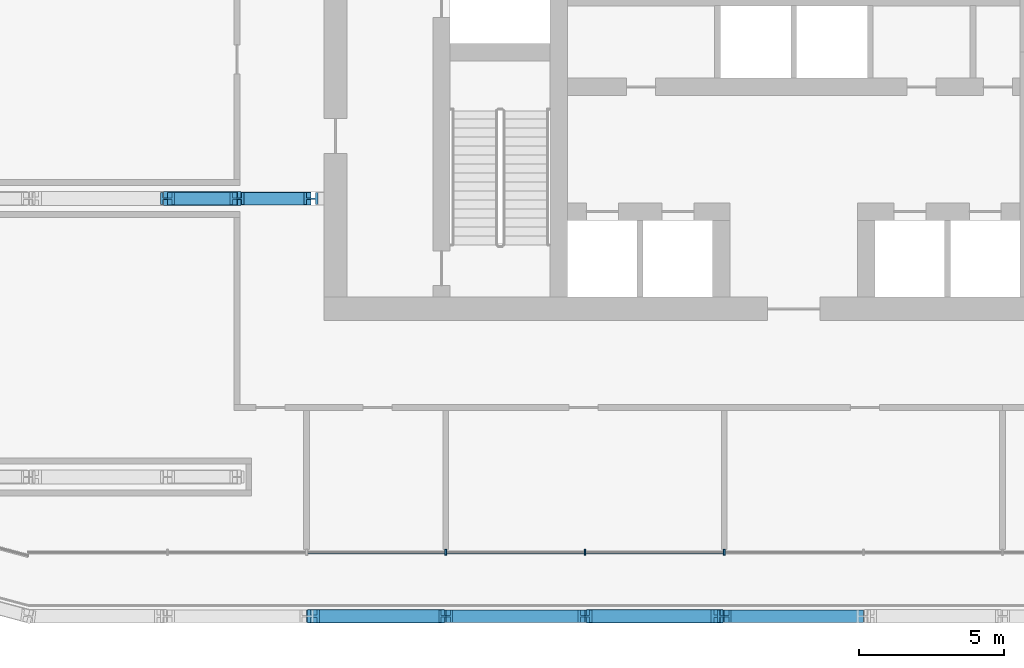
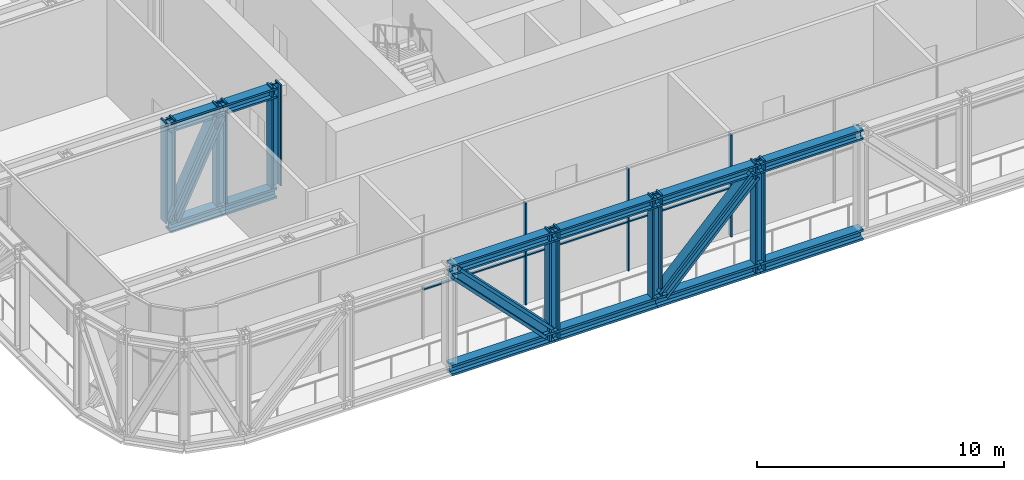
# One storey, part 2 of 25: 27 members, 1 element without a shape of its own.
"""IFC4 building model written with IfcOpenShell, lengths in metres."""

from ifc_helpers import new_model, si_unit, direction, frame, origin, origin_2d, place, context, subcontext, project, spatial, rectangle, i_section, extrude, material, layer, layer_set, material_profile, profile_set, type_object, element, aggregate, save


model = new_model("IFC4")

# Units and contexts
model_context = context("Model", 3, precision=1e-05, world=origin(), true_north=direction((0.0, 1.0)))
body_context = subcontext(model_context, "Body", "Model", "MODEL_VIEW")
ifc_project = project(units=[si_unit("LENGTHUNIT", "METRE"), si_unit("AREAUNIT", "SQUARE_METRE"), si_unit("VOLUMEUNIT", "CUBIC_METRE"), si_unit("PLANEANGLEUNIT", "RADIAN"), si_unit("MASSUNIT", "GRAM", prefix="KILO")], contexts=[model_context])

# Site, building, storey
site_placement = place(None, origin())
site = spatial("IfcSite", under=ifc_project, at=site_placement, CompositionType="ELEMENT")
building_placement = place(site_placement, origin())
building = spatial("IfcBuilding", under=site, at=building_placement, Name="Madar Terraces", CompositionType="ELEMENT")
storey_placement = place(building_placement, frame((0.0, 0.0, 113.699951171875)))
storey = spatial("IfcBuildingStorey", under=building, at=storey_placement, Name="L29", CompositionType="ELEMENT", Elevation=113.699951171875)

# Members
ifc_material_1 = material(Name="Steel ASTM A913 Grade 65", Category="steel")
ifc_material_profile_1 = material_profile(ifc_material_1, i_section(OverallWidth=0.44189453125, OverallDepth=0.53076171875, WebThickness=0.06591796875, FlangeThickness=0.105712890625, at=origin_2d()), Name="W14x605")
ifc_profile_set_1 = profile_set([ifc_material_profile_1], Name="Steel ASTM A913 Grade 65")
member_type_1 = type_object("IfcMemberType", Name="BC4 W14x605", PredefinedType="CHORD", material=ifc_profile_set_1)
for number, where, z_axis, x_axis, name in (
    (1, (14.39990234375, 4.800048828125, -0.154541015625), (1.0, 0.0, 0.0), (0.0, 1.0, 0.0), "Exoskeleton truss ring bottom chord BC4"),
    (2, (19.199951171875, 4.800048828125, -0.154541015625), (1.0, 0.0, 0.0), (0.0, 1.0, 0.0), "Exoskeleton truss ring bottom chord BC4"),
    (3, (24.0, 4.800048828125, -0.154541015625), (1.0, 0.0, 0.0), (0.0, 1.0, 0.0), "Exoskeleton truss ring bottom chord BC4"),
    (4, (28.800048828125, 4.800048828125, -0.154541015625), (1.0, 0.0, 0.0), (0.0, 1.0, 0.0), "Exoskeleton truss ring bottom chord BC4"),
):
    element("IfcMember", number, at=place(storey_placement, frame(where, z_axis=z_axis, x_axis=x_axis)), inside=storey, type_object=member_type_1, Name=name, PredefinedType="CHORD", context=body_context, shape_type="SweptSolid", body=[
        extrude(i_section(OverallWidth=0.44189453125, OverallDepth=0.53076171875, WebThickness=0.06591796875, FlangeThickness=0.105712890625, at=origin_2d()), origin(), (0.0, 0.0, 1.0), 4.800048828125),
    ])
member_1_placement = place(storey_placement, frame((9.60009765625, 19.199951171875, -0.154541015625), z_axis=(1.0, 0.0, 0.0), x_axis=(0.0, 1.0, 0.0)))
element("IfcMember", 5, at=member_1_placement, inside=storey, type_object=member_type_1, Name="Exoskeleton truss cross W19.2 bottom chord BC4", PredefinedType="CHORD", context=body_context, shape_type="SweptSolid", body=[
    extrude(i_section(OverallWidth=0.44189453125, OverallDepth=0.53076171875, WebThickness=0.06591796875, FlangeThickness=0.105712890625, at=origin_2d()), origin(), (0.0, 0.0, 1.0), 2.39990234375),
])
member_2_placement = place(storey_placement, frame((12.0, 19.199951171875, -0.154541015625), z_axis=(1.0, 0.0, 0.0), x_axis=(0.0, 1.0, 0.0)))
element("IfcMember", 6, at=member_2_placement, inside=storey, type_object=member_type_1, Name="Exoskeleton truss cross W19.2 bottom chord BC4", PredefinedType="CHORD", context=body_context, shape_type="SweptSolid", body=[
    extrude(i_section(OverallWidth=0.44189453125, OverallDepth=0.53076171875, WebThickness=0.06591796875, FlangeThickness=0.105712890625, at=origin_2d()), origin(), (0.0, 0.0, 1.0), 2.550048828125),
])

# Curtain wall, members
ifc_material_2 = material(Name="Glass, ceramic frit dark grey, with black aluminium frame", Category="aluminium")
ifc_layer = layer(ifc_material_2, 0.199951171875)
ifc_layer_set = layer_set([ifc_layer], Name="Facade curtain wall, tall glazing")
curtain_wall_type = type_object("IfcCurtainWallType", Name="Facade curtain wall, tall glazing", PredefinedType="NOTDEFINED", material=ifc_layer_set)
curtain_wall_placement = place(storey_placement, origin())
curtain_wall = element("IfcCurtainWall", 7, at=curtain_wall_placement, inside=storey, type_object=curtain_wall_type, Name="Outer skin curtain wall south bay 1", PredefinedType="NOTDEFINED")
ifc_material_3 = material(Name="Aluminium, black anodised", Category="aluminium")
ifc_material_profile_2 = material_profile(ifc_material_3, rectangle(XDim=0.199951171875, YDim=0.06005859375, at=origin_2d()), Name="Facade mullion 60x200")
ifc_profile_set_2 = profile_set([ifc_material_profile_2], Name="Aluminium, black anodised")
member_type_2 = type_object("IfcMemberType", Name="Facade mullion 60x200", PredefinedType="MULLION", material=ifc_profile_set_2)
member_3_placement = place(storey_placement, frame((19.199951171875, 7.0, 0.0), z_axis=(0.0, 0.0, 1.0), x_axis=(0.0, 1.0, 0.0)))
member_3 = element("IfcMember", 8, at=member_3_placement, type_object=member_type_2, Name="Mullion 3", PredefinedType="MULLION", context=body_context, shape_type="SweptSolid", body=[
    extrude(rectangle(XDim=0.199951171875, YDim=0.06005859375, at=origin_2d()), origin(), (0.0, 0.0, 1.0), 5.0400390625),
])
member_4_placement = place(storey_placement, frame((24.0, 7.0, 0.0), z_axis=(0.0, 0.0, 1.0), x_axis=(0.0, 1.0, 0.0)))
member_4 = element("IfcMember", 9, at=member_4_placement, type_object=member_type_2, Name="Mullion 4", PredefinedType="MULLION", context=body_context, shape_type="SweptSolid", body=[
    extrude(rectangle(XDim=0.199951171875, YDim=0.06005859375, at=origin_2d()), origin(), (0.0, 0.0, 1.0), 5.0400390625),
])
member_5_placement = place(storey_placement, frame((28.800048828125, 7.0, 0.0), z_axis=(0.0, 0.0, 1.0), x_axis=(0.0, 1.0, 0.0)))
member_5 = element("IfcMember", 10, at=member_5_placement, type_object=member_type_2, Name="Mullion 5", PredefinedType="MULLION", context=body_context, shape_type="SweptSolid", body=[
    extrude(rectangle(XDim=0.199951171875, YDim=0.06005859375, at=origin_2d()), origin(), (0.0, 0.0, 1.0), 5.0400390625),
])
ifc_material_4 = material(Name="Aluminium, black anodised", Category="aluminium")
ifc_material_profile_3 = material_profile(ifc_material_4, rectangle(XDim=0.1201171875, YDim=0.06005859375, at=origin_2d()), Name="Facade transom 60x120")
ifc_profile_set_3 = profile_set([ifc_material_profile_3], Name="Aluminium, black anodised")
member_type_3 = type_object("IfcMemberType", Name="Facade transom 60x120", PredefinedType="USERDEFINED", material=ifc_profile_set_3)
member_6_placement = place(storey_placement, frame((14.429931640625, 7.0, 2.400146484375), z_axis=(1.0, 0.0, 0.0), x_axis=(0.0, 1.0, 0.0)))
member_6 = element("IfcMember", 11, at=member_6_placement, type_object=member_type_3, Name="Transom 4", ObjectType="TRANSOM", PredefinedType="USERDEFINED", context=body_context, shape_type="SweptSolid", body=[
    extrude(rectangle(XDim=0.1201171875, YDim=0.06005859375, at=origin_2d()), origin(), (0.0, 0.0, 1.0), 4.739990234375),
])
member_7_placement = place(storey_placement, frame((19.22998046875, 7.0, 2.400146484375), z_axis=(1.0, 0.0, 0.0), x_axis=(0.0, 1.0, 0.0)))
member_7 = element("IfcMember", 12, at=member_7_placement, type_object=member_type_3, Name="Transom 5", ObjectType="TRANSOM", PredefinedType="USERDEFINED", context=body_context, shape_type="SweptSolid", body=[
    extrude(rectangle(XDim=0.1201171875, YDim=0.06005859375, at=origin_2d()), origin(), (0.0, 0.0, 1.0), 4.739990234375),
])
member_8_placement = place(storey_placement, frame((24.030029296875, 7.0, 2.400146484375), z_axis=(1.0, 0.0, 0.0), x_axis=(0.0, 1.0, 0.0)))
member_8 = element("IfcMember", 13, at=member_8_placement, type_object=member_type_3, Name="Transom 6", ObjectType="TRANSOM", PredefinedType="USERDEFINED", context=body_context, shape_type="SweptSolid", body=[
    extrude(rectangle(XDim=0.1201171875, YDim=0.06005859375, at=origin_2d()), origin(), (0.0, 0.0, 1.0), 4.739990234375),
])
aggregate(curtain_wall, [member_3, member_4, member_5, member_6, member_7, member_8])

# Members
ifc_material_5 = material(Name="Steel ASTM A913 Grade 65", Category="steel")
ifc_material_profile_4 = material_profile(ifc_material_5, i_section(OverallWidth=0.431884765625, OverallDepth=0.497802734375, WebThickness=0.0556640625, FlangeThickness=0.0888671875, at=origin_2d()), Name="W14x500")
ifc_profile_set_4 = profile_set([ifc_material_profile_4], Name="Steel ASTM A913 Grade 65")
member_type_4 = type_object("IfcMemberType", Name="TC4 W14x500", PredefinedType="CHORD", material=ifc_profile_set_4)
for number, where, z_axis, x_axis, name in (
    (14, (14.39990234375, 4.800048828125, 4.78125), (1.0, 0.0, 0.0), (0.0, 1.0, 0.0), "Exoskeleton truss ring top chord TC4"),
    (15, (19.199951171875, 4.800048828125, 4.78125), (1.0, 0.0, 0.0), (0.0, 1.0, 0.0), "Exoskeleton truss ring top chord TC4"),
    (16, (24.0, 4.800048828125, 4.78125), (1.0, 0.0, 0.0), (0.0, 1.0, 0.0), "Exoskeleton truss ring top chord TC4"),
    (17, (28.800048828125, 4.800048828125, 4.78125), (1.0, 0.0, 0.0), (0.0, 1.0, 0.0), "Exoskeleton truss ring top chord TC4"),
):
    element("IfcMember", number, at=place(storey_placement, frame(where, z_axis=z_axis, x_axis=x_axis)), inside=storey, type_object=member_type_4, Name=name, PredefinedType="CHORD", context=body_context, shape_type="SweptSolid", body=[
        extrude(i_section(OverallWidth=0.431884765625, OverallDepth=0.497802734375, WebThickness=0.0556640625, FlangeThickness=0.0888671875, at=origin_2d()), origin(), (0.0, 0.0, 1.0), 4.800048828125),
    ])
member_9_placement = place(storey_placement, frame((9.60009765625, 19.199951171875, 4.78125), z_axis=(1.0, 0.0, 0.0), x_axis=(0.0, 1.0, 0.0)))
element("IfcMember", 18, at=member_9_placement, inside=storey, type_object=member_type_4, Name="Exoskeleton truss cross W19.2 top chord TC4", PredefinedType="CHORD", context=body_context, shape_type="SweptSolid", body=[
    extrude(i_section(OverallWidth=0.431884765625, OverallDepth=0.497802734375, WebThickness=0.0556640625, FlangeThickness=0.0888671875, at=origin_2d()), origin(), (0.0, 0.0, 1.0), 2.39990234375),
])
member_10_placement = place(storey_placement, frame((12.0, 19.199951171875, 4.78125), z_axis=(1.0, 0.0, 0.0), x_axis=(0.0, 1.0, 0.0)))
element("IfcMember", 19, at=member_10_placement, inside=storey, type_object=member_type_4, Name="Exoskeleton truss cross W19.2 top chord TC4", PredefinedType="CHORD", context=body_context, shape_type="SweptSolid", body=[
    extrude(i_section(OverallWidth=0.431884765625, OverallDepth=0.497802734375, WebThickness=0.0556640625, FlangeThickness=0.0888671875, at=origin_2d()), origin(), (0.0, 0.0, 1.0), 2.550048828125),
])
ifc_material_6 = material(Name="Steel ASTM A913 Grade 65", Category="steel")
ifc_material_profile_5 = material_profile(ifc_material_6, i_section(OverallWidth=0.472412109375, OverallDepth=0.5791015625, WebThickness=0.094970703125, FlangeThickness=0.130126953125, at=origin_2d()), Name="W14x808")
ifc_profile_set_5 = profile_set([ifc_material_profile_5], Name="Steel ASTM A913 Grade 65")
member_type_5 = type_object("IfcMemberType", Name="TD4 W14x808", PredefinedType="BRACE", material=ifc_profile_set_5)
for number, where, z_axis, x_axis, name in (
    (20, (14.64208984375, 4.800048828125, 4.5322265625), (0.697181267802, 0.0, -0.716894887571), (0.0, 1.0, 0.0), "Exoskeleton truss ring diagonal TD4"),
    (21, (24.258056640625, 4.800048828125, 0.11083984375), (0.697181267802, 0.0, 0.716894887571), (0.0, 1.0, 0.0), "Exoskeleton truss ring diagonal TD4"),
):
    element("IfcMember", number, at=place(storey_placement, frame(where, z_axis=z_axis, x_axis=x_axis)), inside=storey, type_object=member_type_5, Name=name, PredefinedType="BRACE", context=body_context, shape_type="SweptSolid", body=[
        extrude(i_section(OverallWidth=0.472412109375, OverallDepth=0.5791015625, WebThickness=0.094970703125, FlangeThickness=0.130126953125, at=origin_2d()), origin(), (0.0, 0.0, 1.0), 6.16748046875),
    ])
member_11_placement = place(storey_placement, frame((9.72900390625, 19.199951171875, 0.11083984375), z_axis=(0.43729423743, 0.0, 0.899318491921), x_axis=(0.0, 1.0, 0.0)))
element("IfcMember", 22, at=member_11_placement, inside=storey, type_object=member_type_5, Name="Exoskeleton truss cross W19.2 diagonal TD4", PredefinedType="BRACE", context=body_context, shape_type="SweptSolid", body=[
    extrude(i_section(OverallWidth=0.472412109375, OverallDepth=0.5791015625, WebThickness=0.094970703125, FlangeThickness=0.130126953125, at=origin_2d()), origin(), (0.0, 0.0, 1.0), 4.916259765625),
])
ifc_material_7 = material(Name="Steel ASTM A913 Grade 65", Category="steel")
ifc_material_profile_6 = material_profile(ifc_material_7, i_section(OverallWidth=0.424072265625, OverallDepth=0.47509765625, WebThickness=0.0478515625, FlangeThickness=0.0771484375, at=origin_2d()), Name="W14x426")
ifc_profile_set_6 = profile_set([ifc_material_profile_6], Name="Steel ASTM A913 Grade 65")
member_type_6 = type_object("IfcMemberType", Name="TV4 W14x426", PredefinedType="POST", material=ifc_profile_set_6)
member_12_placement = place(storey_placement, frame((19.199951171875, 4.800048828125, -0.419921875), z_axis=(0.0, 0.0, 1.0), x_axis=(0.0, 1.0, 0.0)))
element("IfcMember", 23, at=member_12_placement, inside=storey, type_object=member_type_6, Name="Exoskeleton truss ring post TV4", PredefinedType="POST", context=body_context, shape_type="SweptSolid", body=[
    extrude(i_section(OverallWidth=0.424072265625, OverallDepth=0.47509765625, WebThickness=0.0478515625, FlangeThickness=0.0771484375, at=origin_2d()), origin(), (0.0, 0.0, 1.0), 5.52001953125),
])
member_13_placement = place(storey_placement, frame((24.0, 4.800048828125, 0.11083984375), z_axis=(0.0, 0.0, 1.0), x_axis=(0.0, 1.0, 0.0)))
element("IfcMember", 24, at=member_13_placement, inside=storey, type_object=member_type_6, Name="Exoskeleton truss ring post TV4", PredefinedType="POST", context=body_context, shape_type="SweptSolid", body=[
    extrude(i_section(OverallWidth=0.424072265625, OverallDepth=0.47509765625, WebThickness=0.0478515625, FlangeThickness=0.0771484375, at=origin_2d()), origin(), (0.0, 0.0, 1.0), 4.9892578125),
])
member_14_placement = place(storey_placement, frame((28.800048828125, 4.800048828125, -0.419921875), z_axis=(0.0, 0.0, 1.0), x_axis=(0.0, 1.0, 0.0)))
element("IfcMember", 25, at=member_14_placement, inside=storey, type_object=member_type_6, Name="Exoskeleton truss ring post TV4", PredefinedType="POST", context=body_context, shape_type="SweptSolid", body=[
    extrude(i_section(OverallWidth=0.424072265625, OverallDepth=0.47509765625, WebThickness=0.0478515625, FlangeThickness=0.0771484375, at=origin_2d()), origin(), (0.0, 0.0, 1.0), 5.52001953125),
])
for number, where, z_axis, x_axis, name in (
    (26, (9.60009765625, 19.199951171875, 0.11083984375), (0.0, 0.0, 1.0), (0.0, 1.0, 0.0), "Exoskeleton truss cross W19.2 post TV4"),
    (27, (12.0, 19.199951171875, 0.11083984375), (0.0, 0.0, 1.0), (0.0, 1.0, 0.0), "Exoskeleton truss cross W19.2 post TV4"),
    (28, (14.550048828125, 19.199951171875, 0.11083984375), (0.0, 0.0, 1.0), (0.0, 1.0, 0.0), "Exoskeleton truss cross W19.2 post TV4"),
):
    element("IfcMember", number, at=place(storey_placement, frame(where, z_axis=z_axis, x_axis=x_axis)), inside=storey, type_object=member_type_6, Name=name, PredefinedType="POST", context=body_context, shape_type="SweptSolid", body=[
        extrude(i_section(OverallWidth=0.424072265625, OverallDepth=0.47509765625, WebThickness=0.0478515625, FlangeThickness=0.0771484375, at=origin_2d()), origin(), (0.0, 0.0, 1.0), 4.9892578125),
    ])

save(model, "model.ifc")
